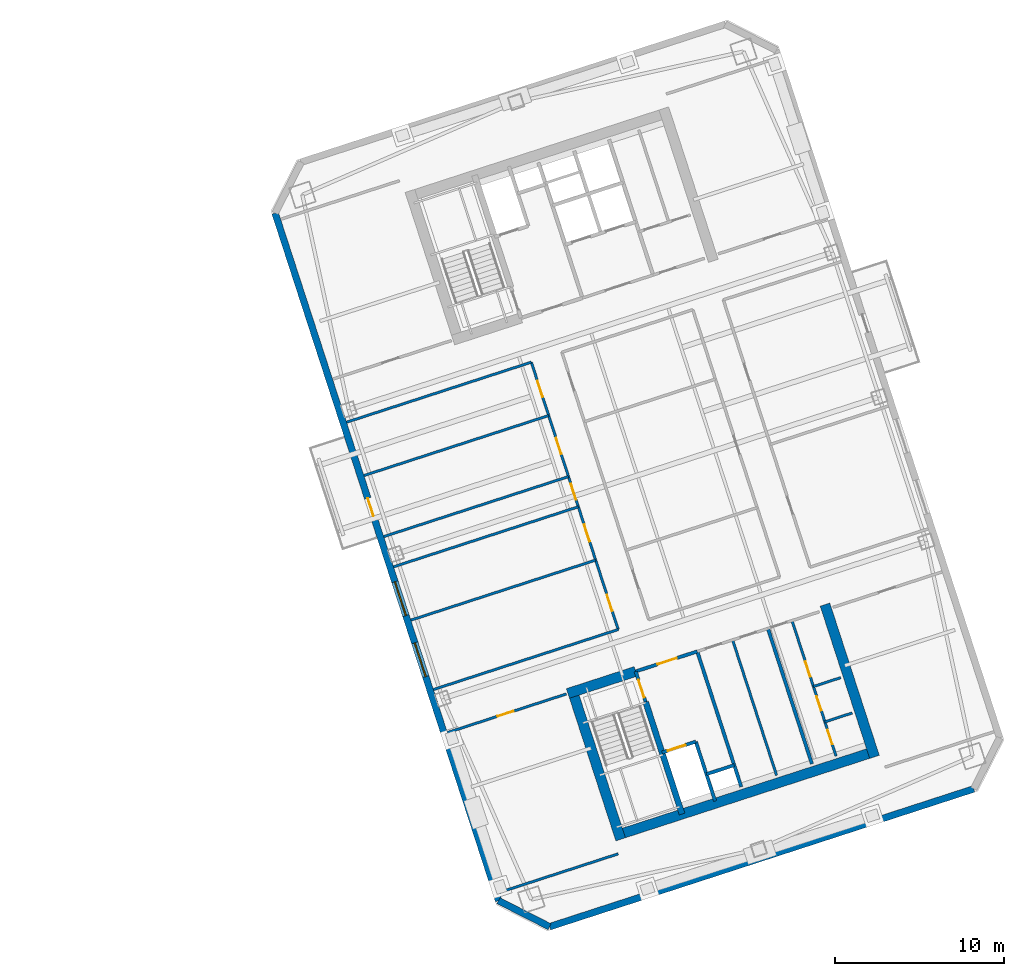
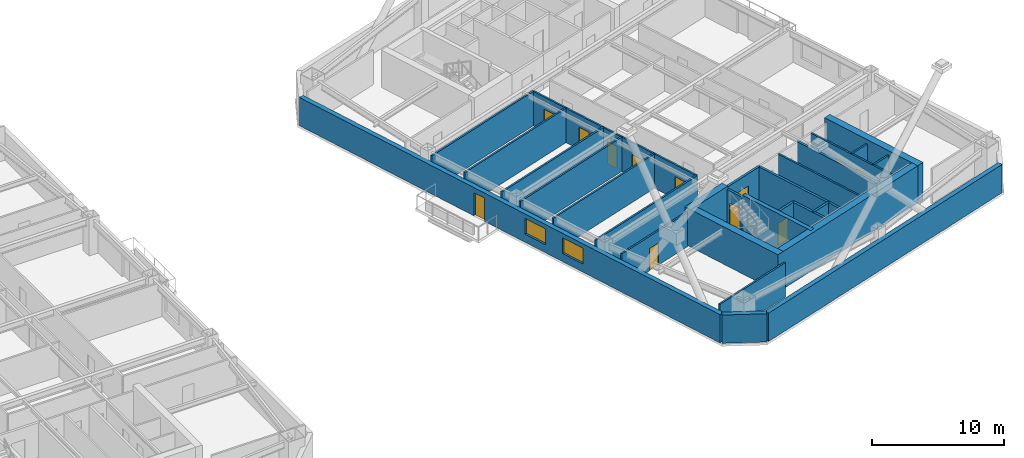
# One storey, part 9 of 17: 28 walls, 13 doors, 2 windows, 15 openings.
"""IFC4 building model written with IfcOpenShell, lengths in metres."""

from ifc_helpers import new_model, si_unit, direction, frame, frame_2d, origin, place, context, subcontext, project, spatial, rectangle, extrude, material, layer, layer_set, type_object, element, fill, save


model = new_model("IFC4")

# Units and contexts
model_context = context("Model", 3, precision=1e-05, world=origin(), true_north=direction((0.0, 1.0)))
body_context = subcontext(model_context, "Body", "Model", "MODEL_VIEW")
ifc_project = project(units=[si_unit("LENGTHUNIT", "METRE"), si_unit("AREAUNIT", "SQUARE_METRE"), si_unit("VOLUMEUNIT", "CUBIC_METRE"), si_unit("PLANEANGLEUNIT", "RADIAN"), si_unit("MASSUNIT", "GRAM", prefix="KILO")], contexts=[model_context])

# Site, building, storey
site_placement = place(None, origin())
site = spatial("IfcSite", under=ifc_project, at=site_placement, CompositionType="ELEMENT")
building_placement = place(site_placement, origin())
building = spatial("IfcBuilding", under=site, at=building_placement, Name="Qiaolan Cultural Towers", CompositionType="ELEMENT")
storey_placement = place(building_placement, frame((0.0, 0.0, 177.10009765625)))
storey = spatial("IfcBuildingStorey", under=building, at=storey_placement, Name="L47", CompositionType="ELEMENT", Elevation=177.10009765625)

# Walls
ifc_material_1 = material(Name="Concrete C50", Category="concrete")
ifc_layer_1 = layer(ifc_material_1, 0.35009765625)
ifc_layer_set_1 = layer_set([ifc_layer_1], Name="Concrete C50")
wall_type_1 = type_object("IfcWallType", Name="WL-CORE-350", PredefinedType="SHEAR", material=ifc_layer_set_1)
wall_1_placement = place(storey_placement, frame((90.486328125, 20.59423828125, 0.0), z_axis=(0.0, 0.0, 1.0), x_axis=(0.309020428229, -0.951055400562, 0.0)))
element("IfcWall", 1, at=wall_1_placement, inside=storey, type_object=wall_type_1, Name="L47 T2-CS Stair Core Dividing Web", PredefinedType="SHEAR", context=body_context, shape_type="SweptSolid", body=[
    extrude(rectangle(XDim=6.97998046875, YDim=0.35009765625, at=frame_2d((3.489990234375, 0.0))), origin(), (0.0, 0.0, 1.0), 3.449951171875),
])
ifc_material_2 = material(Name="Concrete C55", Category="concrete")
ifc_layer_2 = layer(ifc_material_2, 0.60009765625)
ifc_layer_set_2 = layer_set([ifc_layer_2], Name="Concrete C55")
wall_type_2 = type_object("IfcWallType", Name="WL-CORE-600", PredefinedType="SHEAR", material=ifc_layer_set_2)
wall_2_placement = place(storey_placement, frame((88.6298828125, 12.65185546875, 0.0), z_axis=(0.0, 0.0, 1.0), x_axis=(0.95105714907, 0.309015046886, 0.0)))
element("IfcWall", 2, at=wall_2_placement, inside=storey, type_object=wall_type_2, Name="L47 T2-CS Outer Core Shear Wall", PredefinedType="SHEAR", context=body_context, shape_type="SweptSolid", body=[
    extrude(rectangle(XDim=16.400146484375, YDim=0.60009765625, at=frame_2d((8.2001953125, 0.0))), origin(), (0.0, 0.0, 1.0), 3.449951171875),
])
wall_3_placement = place(storey_placement, frame((86.078369140625, 21.47509765625, 0.0), z_axis=(0.0, 0.0, 1.0), x_axis=(0.309017938678, -0.951056209472, 0.0)))
element("IfcWall", 3, at=wall_3_placement, inside=storey, type_object=wall_type_2, Name="L47 T2-CS West Core Shear Wall", PredefinedType="SHEAR", context=body_context, shape_type="SweptSolid", body=[
    extrude(rectangle(XDim=9.479736328125, YDim=0.60009765625, at=frame_2d((4.73974609375, 0.0))), origin(), (0.0, 0.0, 1.0), 3.449951171875),
])
wall_4_placement = place(storey_placement, frame((101.105224609375, 26.357666015625, 0.0), z_axis=(0.0, 0.0, 1.0), x_axis=(0.309010370028, -0.95105866865, 0.0)))
element("IfcWall", 4, at=wall_4_placement, inside=storey, type_object=wall_type_2, Name="L47 T2-CS East Core Shear Wall", PredefinedType="SHEAR", context=body_context, shape_type="SweptSolid", body=[
    extrude(rectangle(XDim=9.47998046875, YDim=0.60009765625, at=frame_2d((4.739990234375, 0.0))), origin(), (0.0, 0.0, 1.0), 3.449951171875),
])
wall_5_placement = place(storey_placement, frame((85.8857421875, 21.09716796875, 0.0), z_axis=(0.0, 0.0, 1.0), x_axis=(0.951068073652, 0.308981422225, 0.0)))
element("IfcWall", 5, at=wall_5_placement, inside=storey, type_object=wall_type_2, Name="L47 T2-CS Stair Front Shear Wall", PredefinedType="SHEAR", context=body_context, shape_type="SweptSolid", body=[
    extrude(rectangle(XDim=4.22021484375, YDim=0.60009765625, at=frame_2d((2.110107421875, 0.0))), origin(), (0.0, 0.0, 1.0), 3.449951171875),
])

# Wall, openings, door, windows
ifc_material_3 = material(Name="Precast Concrete C50 Honed Stone Pier", Category="masonry")
ifc_layer_3 = layer(ifc_material_3, 0.39990234375)
ifc_layer_set_3 = layer_set([ifc_layer_3], Name="Precast Concrete C50 Honed Stone Pier")
wall_type_3 = type_object("IfcWallType", Name="WL-EXT-PIER-400", PredefinedType="SOLIDWALL", material=ifc_layer_set_3)
wall_6_placement = place(storey_placement, frame((81.7763671875, 8.82666015625, 0.0), z_axis=(0.0, 0.0, 1.0), x_axis=(-0.309014228706, 0.951057414911, 0.0)))
wall_6 = element("IfcWall", 6, at=wall_6_placement, inside=storey, type_object=wall_type_3, Name="L47 East Tower Precast Pier Facade Wall F1", PredefinedType="SOLIDWALL", context=body_context, shape_type="SweptSolid", body=[
    extrude(rectangle(XDim=42.800048828125, YDim=0.39990234375, at=frame_2d((21.39990234375, 0.0))), origin(), (0.0, 0.0, 1.0), 2.60986328125),
])
opening_1_placement = place(wall_6_placement, frame((13.949951171875, 0.0, 0.75)))
opening_1 = element("IfcOpeningElement", 7, at=opening_1_placement, cuts=wall_6, Name="Opening W-05", PredefinedType="OPENING", context=body_context, shape_type="SweptSolid", body=[
    extrude(rectangle(XDim=2.10009765625, YDim=1.4599609375, at=frame_2d((1.050048828125, 0.72998046875))), frame((0.0, 0.2099609375, 0.0), z_axis=(0.0, -1.0, 0.0), x_axis=(1.0, 0.0, 0.0)), (0.0, 0.0, 1.0), 0.419921875),
])
opening_2_placement = place(wall_6_placement, frame((17.75, 0.0, 0.75)))
opening_2 = element("IfcOpeningElement", 8, at=opening_2_placement, cuts=wall_6, Name="Opening W-05", PredefinedType="OPENING", context=body_context, shape_type="SweptSolid", body=[
    extrude(rectangle(XDim=2.10009765625, YDim=1.4599609375, at=frame_2d((1.050048828125, 0.72998046875))), frame((0.0, 0.2099609375, 0.0), z_axis=(0.0, -1.0, 0.0), x_axis=(1.0, 0.0, 0.0)), (0.0, 0.0, 1.0), 0.419921875),
])
opening_3_placement = place(wall_6_placement, frame((23.949951171875, 0.0, 0.0)))
opening_3 = element("IfcOpeningElement", 9, at=opening_3_placement, cuts=wall_6, Name="Opening BD-01", PredefinedType="OPENING", context=body_context, shape_type="SweptSolid", body=[
    extrude(rectangle(XDim=1.10009765625, YDim=2.14990234375, at=frame_2d((0.550048828125, 1.074951171875))), frame((0.0, 0.2099609375, 0.0), z_axis=(0.0, -1.0, 0.0), x_axis=(1.0, 0.0, 0.0)), (0.0, 0.0, 1.0), 0.419921875),
])
ifc_material_4 = material(Name="Thermally Broken Aluminium Glazed Terrace Door", Category="aluminium")
door_type_1 = type_object("IfcDoorType", Name="DR-BAL-1100", OperationType="NOTDEFINED", PredefinedType="DOOR", material=ifc_material_4)
door_1_placement = place(opening_3_placement, origin())
door_1 = element("IfcDoor", 10, at=door_1_placement, inside=storey, type_object=door_type_1, Name="L47 T2 West Tree Balcony Door", OperationType="SINGLE_SWING_LEFT", OverallHeight=2.14990234375, OverallWidth=1.10009765625, PredefinedType="DOOR", context=body_context, shape_type="SweptSolid", body=[
    extrude(rectangle(XDim=1.10009765625, YDim=2.14990234375, at=frame_2d((0.550048828125, 1.074951171875))), frame((0.0, 0.02490234375, 0.0), z_axis=(0.0, -1.0, 0.0), x_axis=(1.0, 0.0, 0.0)), (0.0, 0.0, 1.0), 0.050048828125),
])
fill(opening_3, door_1)
ifc_material_5 = material(Name="Thermally Broken Aluminium Triple Low-E Glazing", Category="aluminium")
window_type = type_object("IfcWindowType", Name="WN-CHIC-2100", PartitioningType="SINGLE_PANEL", PredefinedType="WINDOW", material=ifc_material_5)
window_1_placement = place(opening_1_placement, origin())
window_1 = element("IfcWindow", 11, at=window_1_placement, inside=storey, type_object=window_type, Name="L47 T2 W Chicago Bay Window 1", OverallHeight=1.4599609375, OverallWidth=2.10009765625, PartitioningType="TRIPLE_PANEL_VERTICAL", PredefinedType="WINDOW", context=body_context, shape_type="SweptSolid", body=[
    extrude(rectangle(XDim=2.10009765625, YDim=1.4599609375, at=frame_2d((1.050048828125, 0.72998046875))), frame((0.0, 0.030029296875, 0.0), z_axis=(0.0, -1.0, 0.0), x_axis=(1.0, 0.0, 0.0)), (0.0, 0.0, 1.0), 0.06005859375),
])
fill(opening_1, window_1)
window_2_placement = place(opening_2_placement, origin())
window_2 = element("IfcWindow", 12, at=window_2_placement, inside=storey, type_object=window_type, Name="L47 T2 W Chicago Bay Window 2", OverallHeight=1.4599609375, OverallWidth=2.10009765625, PartitioningType="TRIPLE_PANEL_VERTICAL", PredefinedType="WINDOW", context=body_context, shape_type="SweptSolid", body=[
    extrude(rectangle(XDim=2.10009765625, YDim=1.4599609375, at=frame_2d((1.050048828125, 0.72998046875))), frame((0.0, 0.030029296875, 0.0), z_axis=(0.0, -1.0, 0.0), x_axis=(1.0, 0.0, 0.0)), (0.0, 0.0, 1.0), 0.06005859375),
])
fill(opening_2, window_2)

# Walls
wall_7_placement = place(storey_placement, frame((109.908447265625, 15.44384765625, 0.0), z_axis=(0.0, 0.0, 1.0), x_axis=(-0.951057580055, -0.30901372044, 0.0)))
element("IfcWall", 13, at=wall_7_placement, inside=storey, type_object=wall_type_3, Name="L47 East Tower Precast Pier Facade Wall F7", PredefinedType="SOLIDWALL", context=body_context, shape_type="SweptSolid", body=[
    extrude(rectangle(XDim=26.39990234375, YDim=0.39990234375, at=frame_2d((13.199951171875, 0.0))), origin(), (0.0, 0.0, 1.0), 2.60986328125),
])
wall_8_placement = place(storey_placement, frame((84.800537109375, 7.285888671875, 0.0), z_axis=(0.0, 0.0, 1.0), x_axis=(-0.891020832027, 0.453962417932, 0.0)))
element("IfcWall", 14, at=wall_8_placement, inside=storey, type_object=wall_type_3, Name="L47 East Tower Precast Pier Facade Wall F8", PredefinedType="SOLIDWALL", context=body_context, shape_type="SweptSolid", body=[
    extrude(rectangle(XDim=3.39404296875, YDim=0.39990234375, at=frame_2d((1.697021484375, 0.0))), origin(), (0.0, 0.0, 1.0), 2.60986328125),
])

# Wall, opening, door
ifc_material_6 = material(Name="Concrete C35 Fire Wall", Category="concrete")
ifc_layer_4 = layer(ifc_material_6, 0.199951171875)
ifc_layer_set_4 = layer_set([ifc_layer_4], Name="Concrete C35 Fire Wall")
wall_type_4 = type_object("IfcWallType", Name="WL-FIRE-200", PredefinedType="PARTITIONING", material=ifc_layer_set_4)
wall_9_placement = place(storey_placement, frame((89.8994140625, 22.401123046875, 0.0), z_axis=(0.0, 0.0, 1.0), x_axis=(0.308932062672, -0.951084108086, 0.0)))
wall_9 = element("IfcWall", 15, at=wall_9_placement, inside=storey, type_object=wall_type_4, Name="L47 T2-CS Smokeproof Stair Entry Wall", PredefinedType="PARTITIONING", context=body_context, shape_type="SweptSolid", body=[
    extrude(rectangle(XDim=1.89990234375, YDim=0.199951171875, at=frame_2d((0.949951171875, 0.0))), origin(), (0.0, 0.0, 1.0), 3.1748046875),
])
opening_4_placement = place(wall_9_placement, frame((0.52001953125, 0.0, 0.0)))
opening_4 = element("IfcOpeningElement", 16, at=opening_4_placement, cuts=wall_9, Name="Opening FD-04", PredefinedType="OPENING", context=body_context, shape_type="SweptSolid", body=[
    extrude(rectangle(XDim=1.10009765625, YDim=2.050048828125, at=frame_2d((0.550048828125, 1.02490234375))), frame((0.0, 0.10986328125, 0.0), z_axis=(0.0, -1.0, 0.0), x_axis=(1.0, 0.0, 0.0)), (0.0, 0.0, 1.0), 0.219970703125),
])
ifc_material_7 = material(Name="Galvanized Steel Command Fire Door", Category="steel")
door_type_2 = type_object("IfcDoorType", Name="DR-FD90-1100", OperationType="NOTDEFINED", PredefinedType="DOOR", material=ifc_material_7)
door_2_placement = place(opening_4_placement, origin())
door_2 = element("IfcDoor", 17, at=door_2_placement, inside=storey, type_object=door_type_2, Name="L47 ST-E1 Smokeproof Stair Fire Door", OperationType="SINGLE_SWING_LEFT", OverallHeight=2.050048828125, OverallWidth=1.10009765625, PredefinedType="DOOR", context=body_context, shape_type="SweptSolid", body=[
    extrude(rectangle(XDim=1.10009765625, YDim=2.050048828125, at=frame_2d((0.550048828125, 1.02490234375))), frame((0.0, 0.02490234375, 0.0), z_axis=(0.0, -1.0, 0.0), x_axis=(1.0, 0.0, 0.0)), (0.0, 0.0, 1.0), 0.050048828125),
])
fill(opening_4, door_2)

# Wall
wall_10_placement = place(storey_placement, frame((93.541748046875, 23.584716796875, 0.0), z_axis=(0.0, 0.0, 1.0), x_axis=(0.309042196757, -0.951048327176, 0.0)))
element("IfcWall", 18, at=wall_10_placement, inside=storey, type_object=wall_type_4, Name="L47 T2-CS Firefighting Zone Wall", PredefinedType="PARTITIONING", context=body_context, shape_type="SweptSolid", body=[
    extrude(rectangle(XDim=8.429931640625, YDim=0.199951171875, at=frame_2d((4.21484375, 0.0))), origin(), (0.0, 0.0, 1.0), 3.1748046875),
])

# Wall, opening, door
wall_11_placement = place(storey_placement, frame((89.8994140625, 22.401123046875, 0.0), z_axis=(0.0, 0.0, 1.0), x_axis=(0.951046716504, 0.309047153403, 0.0)))
wall_11 = element("IfcWall", 19, at=wall_11_placement, inside=storey, type_object=wall_type_4, Name="L47 T2-CS Firefighting Lobby Front Wall", PredefinedType="PARTITIONING", context=body_context, shape_type="SweptSolid", body=[
    extrude(rectangle(XDim=3.829833984375, YDim=0.199951171875, at=frame_2d((1.9150390625, 0.0))), origin(), (0.0, 0.0, 1.0), 3.1748046875),
])
opening_5_placement = place(wall_11_placement, frame((1.35009765625, 0.0, 0.0)))
opening_5 = element("IfcOpeningElement", 20, at=opening_5_placement, cuts=wall_11, Name="Opening FD-03", PredefinedType="OPENING", context=body_context, shape_type="SweptSolid", body=[
    extrude(rectangle(XDim=1.199951171875, YDim=2.050048828125, at=frame_2d((0.60009765625, 1.02490234375))), frame((0.0, 0.10986328125, 0.0), z_axis=(0.0, -1.0, 0.0), x_axis=(1.0, 0.0, 0.0)), (0.0, 0.0, 1.0), 0.219970703125),
])
ifc_material_8 = material(Name="Galvanized Steel Smokeproof Lobby Fire Door", Category="steel")
door_type_3 = type_object("IfcDoorType", Name="DR-FD90-1200", OperationType="NOTDEFINED", PredefinedType="DOOR", material=ifc_material_8)
door_3_placement = place(opening_5_placement, origin())
door_3 = element("IfcDoor", 21, at=door_3_placement, inside=storey, type_object=door_type_3, Name="L47 FFL-E1 Firefighting Lobby Fire Door", OperationType="SINGLE_SWING_LEFT", OverallHeight=2.050048828125, OverallWidth=1.199951171875, PredefinedType="DOOR", context=body_context, shape_type="SweptSolid", body=[
    extrude(rectangle(XDim=1.199951171875, YDim=2.050048828125, at=frame_2d((0.60009765625, 1.02490234375))), frame((0.0, 0.02490234375, 0.0), z_axis=(0.0, -1.0, 0.0), x_axis=(1.0, 0.0, 0.0)), (0.0, 0.0, 1.0), 0.050048828125),
])
fill(opening_5, door_3)

wall_12_placement = place(storey_placement, frame((91.459716796875, 17.598388671875, 0.0), z_axis=(0.0, 0.0, 1.0), x_axis=(0.951062257173, 0.308999325213, 0.0)))
wall_12 = element("IfcWall", 22, at=wall_12_placement, inside=storey, type_object=wall_type_4, Name="L47 T2-CS Firefighting Shaft Front Wall", PredefinedType="PARTITIONING", context=body_context, shape_type="SweptSolid", body=[
    extrude(rectangle(XDim=2.10009765625, YDim=0.199951171875, at=frame_2d((1.050048828125, 0.0))), origin(), (0.0, 0.0, 1.0), 3.1748046875),
])
opening_6_placement = place(wall_12_placement, frame((0.35009765625, 0.0, 0.0)))
opening_6 = element("IfcOpeningElement", 23, at=opening_6_placement, cuts=wall_12, Name="Opening LD-01", PredefinedType="OPENING", context=body_context, shape_type="SweptSolid", body=[
    extrude(rectangle(XDim=1.10009765625, YDim=2.050048828125, at=frame_2d((0.550048828125, 1.02490234375))), frame((0.0, 0.10986328125, 0.0), z_axis=(0.0, -1.0, 0.0), x_axis=(1.0, 0.0, 0.0)), (0.0, 0.0, 1.0), 0.219970703125),
])
ifc_material_9 = material(Name="Brushed Stainless Steel S30408 Centre-Parting Lift Landing Door", Category="steel")
door_type_4 = type_object("IfcDoorType", Name="DR-LIFT-1100", OperationType="NOTDEFINED", PredefinedType="DOOR", material=ifc_material_9)
door_4_placement = place(opening_6_placement, origin())
door_4 = element("IfcDoor", 24, at=door_4_placement, inside=storey, type_object=door_type_4, Name="L47 FFL-E1 Firefighting Lift Landing Door", OperationType="DOUBLE_DOOR_SLIDING", OverallHeight=2.050048828125, OverallWidth=1.10009765625, PredefinedType="DOOR", context=body_context, shape_type="SweptSolid", body=[
    extrude(rectangle(XDim=1.10009765625, YDim=2.050048828125, at=frame_2d((0.550048828125, 1.02490234375))), frame((0.0, 0.02490234375, 0.0), z_axis=(0.0, -1.0, 0.0), x_axis=(1.0, 0.0, 0.0)), (0.0, 0.0, 1.0), 0.050048828125),
])
fill(opening_6, door_4)

# Walls
wall_13_placement = place(storey_placement, frame((93.45703125, 18.247314453125, 0.0), z_axis=(0.0, 0.0, 1.0), x_axis=(0.3089935693, -0.951064127245, 0.0)))
element("IfcWall", 25, at=wall_13_placement, inside=storey, type_object=wall_type_4, Name="L47 T2-CS Firefighting Hoistway East Wall", PredefinedType="PARTITIONING", context=body_context, shape_type="SweptSolid", body=[
    extrude(rectangle(XDim=3.7001953125, YDim=0.199951171875, at=frame_2d((1.85009765625, 0.0))), origin(), (0.0, 0.0, 1.0), 3.1748046875),
])
wall_14_placement = place(storey_placement, frame((94.08447265625, 16.316650390625, 0.0), z_axis=(0.0, 0.0, 1.0), x_axis=(0.951041328149, 0.309063734775, 0.0)))
element("IfcWall", 26, at=wall_14_placement, inside=storey, type_object=wall_type_4, Name="L47 T2-CS Pressurization Shaft Front Wall", PredefinedType="PARTITIONING", context=body_context, shape_type="SweptSolid", body=[
    extrude(rectangle(XDim=1.72998046875, YDim=0.199951171875, at=frame_2d((0.864990234375, 0.0))), origin(), (0.0, 0.0, 1.0), 3.1748046875),
])
wall_15_placement = place(storey_placement, frame((97.7265625, 24.9443359375, 0.0), z_axis=(0.0, 0.0, 1.0), x_axis=(0.309016001439, -0.951056838919, 0.0)))
element("IfcWall", 27, at=wall_15_placement, inside=storey, type_object=wall_type_4, Name="L47 T2-CS Lift Core East Wall", PredefinedType="PARTITIONING", context=body_context, shape_type="SweptSolid", body=[
    extrude(rectangle(XDim=8.429931640625, YDim=0.199951171875, at=frame_2d((4.21484375, 0.0))), origin(), (0.0, 0.0, 1.0), 3.1748046875),
])
ifc_material_10 = material(Name="Autoclaved Aerated Concrete Block B06", Category="concrete")
ifc_layer_5 = layer(ifc_material_10, 0.14990234375)
ifc_layer_set_5 = layer_set([ifc_layer_5], Name="Autoclaved Aerated Concrete Block B06")
wall_type_5 = type_object("IfcWallType", Name="WL-PART-150", PredefinedType="PARTITIONING", material=ifc_layer_set_5)
wall_16_placement = place(storey_placement, frame((95.63427734375, 24.2646484375, 0.0), z_axis=(0.0, 0.0, 1.0), x_axis=(0.309007490203, -0.951059604335, 0.0)))
element("IfcWall", 28, at=wall_16_placement, inside=storey, type_object=wall_type_5, Name="L47 T2-CS Reclaimed Twin Room Wall", PredefinedType="PARTITIONING", context=body_context, shape_type="SweptSolid", body=[
    extrude(rectangle(XDim=8.43017578125, YDim=0.14990234375, at=frame_2d((4.215087890625, 0.0))), origin(), (0.0, 0.0, 1.0), 3.1748046875),
])

# Wall, openings, doors
wall_17_placement = place(storey_placement, frame((99.153076171875, 25.407958984375, 0.0), z_axis=(0.0, 0.0, 1.0), x_axis=(0.309016001439, -0.951056838919, 0.0)))
wall_17 = element("IfcWall", 29, at=wall_17_placement, inside=storey, type_object=wall_type_5, Name="L47 T2-CS Sanitary Vestibule Wall", PredefinedType="PARTITIONING", context=body_context, shape_type="SweptSolid", body=[
    extrude(rectangle(XDim=8.429931640625, YDim=0.14990234375, at=frame_2d((4.21484375, 0.0))), origin(), (0.0, 0.0, 1.0), 3.1748046875),
])
opening_7_placement = place(wall_17_placement, frame((2.550048828125, 0.0, 0.0)))
opening_7 = element("IfcOpeningElement", 30, at=opening_7_placement, cuts=wall_17, Name="Opening ID-05", PredefinedType="OPENING", context=body_context, shape_type="SweptSolid", body=[
    extrude(rectangle(XDim=0.949951171875, YDim=2.050048828125, at=frame_2d((0.47509765625, 1.02490234375))), frame((0.0, 0.0849609375, 0.0), z_axis=(0.0, -1.0, 0.0), x_axis=(1.0, 0.0, 0.0)), (0.0, 0.0, 1.0), 0.169921875),
])
opening_8_placement = place(wall_17_placement, frame((4.699951171875, 0.0, 0.0)))
opening_8 = element("IfcOpeningElement", 31, at=opening_8_placement, cuts=wall_17, Name="Opening ID-06", PredefinedType="OPENING", context=body_context, shape_type="SweptSolid", body=[
    extrude(rectangle(XDim=0.89990234375, YDim=2.050048828125, at=frame_2d((0.449951171875, 1.02490234375))), frame((0.0, 0.0849609375, 0.0), z_axis=(0.0, -1.0, 0.0), x_axis=(1.0, 0.0, 0.0)), (0.0, 0.0, 1.0), 0.169921875),
])
opening_9_placement = place(wall_17_placement, frame((6.800048828125, 0.0, 0.0)))
opening_9 = element("IfcOpeningElement", 32, at=opening_9_placement, cuts=wall_17, Name="Opening ID-06", PredefinedType="OPENING", context=body_context, shape_type="SweptSolid", body=[
    extrude(rectangle(XDim=0.89990234375, YDim=2.050048828125, at=frame_2d((0.449951171875, 1.02490234375))), frame((0.0, 0.0849609375, 0.0), z_axis=(0.0, -1.0, 0.0), x_axis=(1.0, 0.0, 0.0)), (0.0, 0.0, 1.0), 0.169921875),
])
ifc_material_11 = material(Name="Fire-Rated Laminate Core Service Door", Category="timber")
door_type_5 = type_object("IfcDoorType", Name="DR-INT-900", OperationType="NOTDEFINED", PredefinedType="DOOR", material=ifc_material_11)
door_5_placement = place(opening_8_placement, origin())
door_5 = element("IfcDoor", 33, at=door_5_placement, inside=storey, type_object=door_type_5, Name="L47 Men Washroom Door", OperationType="SINGLE_SWING_LEFT", OverallHeight=2.050048828125, OverallWidth=0.89990234375, PredefinedType="DOOR", context=body_context, shape_type="SweptSolid", body=[
    extrude(rectangle(XDim=0.89990234375, YDim=2.050048828125, at=frame_2d((0.449951171875, 1.02490234375))), frame((0.0, 0.02490234375, 0.0), z_axis=(0.0, -1.0, 0.0), x_axis=(1.0, 0.0, 0.0)), (0.0, 0.0, 1.0), 0.050048828125),
])
fill(opening_8, door_5)
door_6_placement = place(opening_9_placement, origin())
door_6 = element("IfcDoor", 34, at=door_6_placement, inside=storey, type_object=door_type_5, Name="L47 Women Washroom Door", OperationType="SINGLE_SWING_RIGHT", OverallHeight=2.050048828125, OverallWidth=0.89990234375, PredefinedType="DOOR", context=body_context, shape_type="SweptSolid", body=[
    extrude(rectangle(XDim=0.89990234375, YDim=2.050048828125, at=frame_2d((0.449951171875, 1.02490234375))), frame((0.0, 0.02490234375, 0.0), z_axis=(0.0, -1.0, 0.0), x_axis=(1.0, 0.0, 0.0)), (0.0, 0.0, 1.0), 0.050048828125),
])
fill(opening_9, door_6)
ifc_material_12 = material(Name="Fire-Rated Laminate Accessible Core Door", Category="timber")
door_type_6 = type_object("IfcDoorType", Name="DR-INT-950", OperationType="NOTDEFINED", PredefinedType="DOOR", material=ifc_material_12)
door_7_placement = place(opening_7_placement, origin())
door_7 = element("IfcDoor", 35, at=door_7_placement, inside=storey, type_object=door_type_6, Name="L47 Accessible Family Washroom Door", OperationType="SINGLE_SWING_LEFT", OverallHeight=2.050048828125, OverallWidth=0.949951171875, PredefinedType="DOOR", context=body_context, shape_type="SweptSolid", body=[
    extrude(rectangle(XDim=0.949951171875, YDim=2.050048828125, at=frame_2d((0.47509765625, 1.02490234375))), frame((0.0, 0.02490234375, 0.0), z_axis=(0.0, -1.0, 0.0), x_axis=(1.0, 0.0, 0.0)), (0.0, 0.0, 1.0), 0.050048828125),
])
fill(opening_7, door_7)

# Walls
wall_18_placement = place(storey_placement, frame((100.420166015625, 21.508544921875, 0.0), z_axis=(0.0, 0.0, 1.0), x_axis=(0.951040401051, 0.309066587596, 0.0)))
element("IfcWall", 36, at=wall_18_placement, inside=storey, type_object=wall_type_5, Name="L47 T2-CS Restroom Split Wall 1", PredefinedType="PARTITIONING", context=body_context, shape_type="SweptSolid", body=[
    extrude(rectangle(XDim=1.699951171875, YDim=0.14990234375, at=frame_2d((0.85009765625, 0.0))), origin(), (0.0, 0.0, 1.0), 3.1748046875),
])
wall_19_placement = place(storey_placement, frame((101.099853515625, 19.416259765625, 0.0), z_axis=(0.0, 0.0, 1.0), x_axis=(0.951054116971, 0.309024378638, 0.0)))
element("IfcWall", 37, at=wall_19_placement, inside=storey, type_object=wall_type_5, Name="L47 T2-CS Restroom Split Wall 2", PredefinedType="PARTITIONING", context=body_context, shape_type="SweptSolid", body=[
    extrude(rectangle(XDim=1.7001953125, YDim=0.14990234375, at=frame_2d((0.85009765625, 0.0))), origin(), (0.0, 0.0, 1.0), 3.1748046875),
])
wall_20_placement = place(storey_placement, frame((81.82763671875, 9.31640625, 0.0), z_axis=(0.0, 0.0, 1.0), x_axis=(0.95105128112, 0.309033106124, 0.0)))
element("IfcWall", 38, at=wall_20_placement, inside=storey, type_object=wall_type_5, Name="L47 T2 Flank Wall FLK-SW", PredefinedType="PARTITIONING", context=body_context, shape_type="SweptSolid", body=[
    extrude(rectangle(XDim=7.400146484375, YDim=0.14990234375, at=frame_2d((3.7001953125, 0.0))), origin(), (0.0, 0.0, 1.0), 3.1748046875),
])

# Wall, opening, door
wall_21_placement = place(storey_placement, frame((78.7529296875, 18.779541015625, 0.0), z_axis=(0.0, 0.0, 1.0), x_axis=(0.951060977215, 0.309003264738, 0.0)))
wall_21 = element("IfcWall", 39, at=wall_21_placement, inside=storey, type_object=wall_type_5, Name="L47 T2 Flank Front FLK-SW", PredefinedType="PARTITIONING", context=body_context, shape_type="SweptSolid", body=[
    extrude(rectangle(XDim=7.39990234375, YDim=0.14990234375, at=frame_2d((3.699951171875, 0.0))), origin(), (0.0, 0.0, 1.0), 3.1748046875),
])
opening_10_placement = place(wall_21_placement, frame((3.10791015625, 0.0, 0.0)))
opening_10 = element("IfcOpeningElement", 40, at=opening_10_placement, cuts=wall_21, Name="Opening ID-04", PredefinedType="OPENING", context=body_context, shape_type="SweptSolid", body=[
    extrude(rectangle(XDim=1.0, YDim=2.050048828125, at=frame_2d((0.5, 1.02490234375))), frame((0.0, 0.0849609375, 0.0), z_axis=(0.0, -1.0, 0.0), x_axis=(1.0, 0.0, 0.0)), (0.0, 0.0, 1.0), 0.169921875),
])
ifc_material_13 = material(Name="Oak Veneer Acoustic Office Door", Category="timber")
door_type_7 = type_object("IfcDoorType", Name="DR-INT-1000", OperationType="NOTDEFINED", PredefinedType="DOOR", material=ifc_material_13)
door_8_placement = place(opening_10_placement, origin())
door_8 = element("IfcDoor", 41, at=door_8_placement, inside=storey, type_object=door_type_7, Name="L47 T2 Corner Studio Door", OperationType="SINGLE_SWING_LEFT", OverallHeight=2.050048828125, OverallWidth=1.0, PredefinedType="DOOR", context=body_context, shape_type="SweptSolid", body=[
    extrude(rectangle(XDim=1.0, YDim=2.050048828125, at=frame_2d((0.5, 1.02490234375))), frame((0.0, 0.02490234375, 0.0), z_axis=(0.0, -1.0, 0.0), x_axis=(1.0, 0.0, 0.0)), (0.0, 0.0, 1.0), 0.050048828125),
])
fill(opening_10, door_8)

# Walls
wall_22_placement = place(storey_placement, frame((77.9248046875, 21.328369140625, 0.0), z_axis=(0.0, 0.0, 1.0), x_axis=(0.951054972381, 0.309021746015, 0.0)))
element("IfcWall", 42, at=wall_22_placement, inside=storey, type_object=wall_type_5, Name="L47 T2 Interior Wall", PredefinedType="PARTITIONING", context=body_context, shape_type="SweptSolid", body=[
    extrude(rectangle(XDim=11.499755859375, YDim=0.14990234375, at=frame_2d((5.75, 0.0))), origin(), (0.0, 0.0, 1.0), 3.1748046875),
])
wall_23_placement = place(storey_placement, frame((72.78271484375, 37.15380859375, 0.0), z_axis=(0.0, 0.0, 1.0), x_axis=(0.951056999652, 0.309015506751, 0.0)))
element("IfcWall", 43, at=wall_23_placement, inside=storey, type_object=wall_type_5, Name="L47 T2 Interior Wall", PredefinedType="PARTITIONING", context=body_context, shape_type="SweptSolid", body=[
    extrude(rectangle(XDim=11.5, YDim=0.14990234375, at=frame_2d((5.75, 0.0))), origin(), (0.0, 0.0, 1.0), 3.1748046875),
])

# Wall, openings, doors
wall_24_placement = place(storey_placement, frame((88.86181640625, 24.882080078125, 0.0), z_axis=(0.0, 0.0, 1.0), x_axis=(-0.309008771245, 0.951059188113, 0.0)))
wall_24 = element("IfcWall", 44, at=wall_24_placement, inside=storey, type_object=wall_type_5, Name="L47 T2 Interior Wall", PredefinedType="PARTITIONING", context=body_context, shape_type="SweptSolid", body=[
    extrude(rectangle(XDim=16.639892578125, YDim=0.14990234375, at=frame_2d((8.31982421875, 0.0))), origin(), (0.0, 0.0, 1.0), 3.1748046875),
])
opening_11_placement = place(wall_24_placement, frame((1.159912109375, 0.0, 0.0)))
opening_11 = element("IfcOpeningElement", 45, at=opening_11_placement, cuts=wall_24, Name="Opening ID-04", PredefinedType="OPENING", context=body_context, shape_type="SweptSolid", body=[
    extrude(rectangle(XDim=1.0, YDim=2.050048828125, at=frame_2d((0.5, 1.02490234375))), frame((0.0, 0.0849609375, 0.0), z_axis=(0.0, -1.0, 0.0), x_axis=(1.0, 0.0, 0.0)), (0.0, 0.0, 1.0), 0.169921875),
])
opening_12_placement = place(wall_24_placement, frame((5.47998046875, 0.0, 0.0)))
opening_12 = element("IfcOpeningElement", 46, at=opening_12_placement, cuts=wall_24, Name="Opening ID-07", PredefinedType="OPENING", context=body_context, shape_type="SweptSolid", body=[
    extrude(rectangle(XDim=1.050048828125, YDim=2.050048828125, at=frame_2d((0.52490234375, 1.02490234375))), frame((0.0, 0.0849609375, 0.0), z_axis=(0.0, -1.0, 0.0), x_axis=(1.0, 0.0, 0.0)), (0.0, 0.0, 1.0), 0.169921875),
])
opening_13_placement = place(wall_24_placement, frame((8.080078125, 0.0, 0.0)))
opening_13 = element("IfcOpeningElement", 47, at=opening_13_placement, cuts=wall_24, Name="Opening ID-04", PredefinedType="OPENING", context=body_context, shape_type="SweptSolid", body=[
    extrude(rectangle(XDim=1.0, YDim=2.050048828125, at=frame_2d((0.5, 1.02490234375))), frame((0.0, 0.0849609375, 0.0), z_axis=(0.0, -1.0, 0.0), x_axis=(1.0, 0.0, 0.0)), (0.0, 0.0, 1.0), 0.169921875),
])
opening_14_placement = place(wall_24_placement, frame((10.919921875, 0.0, 0.0)))
opening_14 = element("IfcOpeningElement", 48, at=opening_14_placement, cuts=wall_24, Name="Opening ID-04", PredefinedType="OPENING", context=body_context, shape_type="SweptSolid", body=[
    extrude(rectangle(XDim=1.0, YDim=2.050048828125, at=frame_2d((0.5, 1.02490234375))), frame((0.0, 0.0849609375, 0.0), z_axis=(0.0, -1.0, 0.0), x_axis=(1.0, 0.0, 0.0)), (0.0, 0.0, 1.0), 0.169921875),
])
opening_15_placement = place(wall_24_placement, frame((14.47998046875, 0.0, 0.0)))
opening_15 = element("IfcOpeningElement", 49, at=opening_15_placement, cuts=wall_24, Name="Opening ID-04", PredefinedType="OPENING", context=body_context, shape_type="SweptSolid", body=[
    extrude(rectangle(XDim=1.0, YDim=2.050048828125, at=frame_2d((0.5, 1.02490234375))), frame((0.0, 0.0849609375, 0.0), z_axis=(0.0, -1.0, 0.0), x_axis=(1.0, 0.0, 0.0)), (0.0, 0.0, 1.0), 0.169921875),
])
door_9_placement = place(opening_11_placement, origin())
door_9 = element("IfcDoor", 50, at=door_9_placement, inside=storey, type_object=door_type_7, Name="L47 T2 Digital Media Gallery Door", OperationType="SINGLE_SWING_LEFT", OverallHeight=2.050048828125, OverallWidth=1.0, PredefinedType="DOOR", context=body_context, shape_type="SweptSolid", body=[
    extrude(rectangle(XDim=1.0, YDim=2.050048828125, at=frame_2d((0.5, 1.02490234375))), frame((0.0, 0.02490234375, 0.0), z_axis=(0.0, -1.0, 0.0), x_axis=(1.0, 0.0, 0.0)), (0.0, 0.0, 1.0), 0.050048828125),
])
fill(opening_11, door_9)
door_10_placement = place(opening_13_placement, origin())
door_10 = element("IfcDoor", 51, at=door_10_placement, inside=storey, type_object=door_type_7, Name="L47 T2 Sound Kitchenette Door", OperationType="SINGLE_SWING_RIGHT", OverallHeight=2.050048828125, OverallWidth=1.0, PredefinedType="DOOR", context=body_context, shape_type="SweptSolid", body=[
    extrude(rectangle(XDim=1.0, YDim=2.050048828125, at=frame_2d((0.5, 1.02490234375))), frame((0.0, 0.02490234375, 0.0), z_axis=(0.0, -1.0, 0.0), x_axis=(1.0, 0.0, 0.0)), (0.0, 0.0, 1.0), 0.050048828125),
])
fill(opening_13, door_10)
door_11_placement = place(opening_14_placement, origin())
door_11 = element("IfcDoor", 52, at=door_11_placement, inside=storey, type_object=door_type_7, Name="L47 T2 Media Lounge Door", OperationType="SINGLE_SWING_LEFT", OverallHeight=2.050048828125, OverallWidth=1.0, PredefinedType="DOOR", context=body_context, shape_type="SweptSolid", body=[
    extrude(rectangle(XDim=1.0, YDim=2.050048828125, at=frame_2d((0.5, 1.02490234375))), frame((0.0, 0.02490234375, 0.0), z_axis=(0.0, -1.0, 0.0), x_axis=(1.0, 0.0, 0.0)), (0.0, 0.0, 1.0), 0.050048828125),
])
fill(opening_14, door_11)
door_12_placement = place(opening_15_placement, origin())
door_12 = element("IfcDoor", 53, at=door_12_placement, inside=storey, type_object=door_type_7, Name="L47 T2 Media Bookshop Door", OperationType="SINGLE_SWING_RIGHT", OverallHeight=2.050048828125, OverallWidth=1.0, PredefinedType="DOOR", context=body_context, shape_type="SweptSolid", body=[
    extrude(rectangle(XDim=1.0, YDim=2.050048828125, at=frame_2d((0.5, 1.02490234375))), frame((0.0, 0.02490234375, 0.0), z_axis=(0.0, -1.0, 0.0), x_axis=(1.0, 0.0, 0.0)), (0.0, 0.0, 1.0), 0.050048828125),
])
fill(opening_15, door_12)
ifc_material_14 = material(Name="Oak Veneer Consultation Door", Category="timber")
door_type_8 = type_object("IfcDoorType", Name="DR-INT-1050", OperationType="NOTDEFINED", PredefinedType="DOOR", material=ifc_material_14)
door_13_placement = place(opening_12_placement, origin())
door_13 = element("IfcDoor", 54, at=door_13_placement, inside=storey, type_object=door_type_8, Name="L47 T2 Sound Kitchenette Door", OperationType="SINGLE_SWING_LEFT", OverallHeight=2.050048828125, OverallWidth=1.050048828125, PredefinedType="DOOR", context=body_context, shape_type="SweptSolid", body=[
    extrude(rectangle(XDim=1.050048828125, YDim=2.050048828125, at=frame_2d((0.52490234375, 1.02490234375))), frame((0.0, 0.02490234375, 0.0), z_axis=(0.0, -1.0, 0.0), x_axis=(1.0, 0.0, 0.0)), (0.0, 0.0, 1.0), 0.050048828125),
])
fill(opening_12, door_13)

# Walls
for number, where, z_axis, x_axis, name in (
    (55, (76.58984375, 25.43701171875, 0.0), (0.0, 0.0, 1.0), (0.951054972381, 0.309021746015, 0.0), "L47 T2 Interior Wall"),
    (56, (75.56396484375, 28.594482421875, 0.0), (0.0, 0.0, 1.0), (0.951054972381, 0.309021746015, 0.0), "L47 T2 Interior Wall"),
):
    element("IfcWall", number, at=place(storey_placement, frame(where, z_axis=z_axis, x_axis=x_axis)), inside=storey, type_object=wall_type_5, Name=name, PredefinedType="PARTITIONING", context=body_context, shape_type="SweptSolid", body=[
        extrude(rectangle(XDim=11.499755859375, YDim=0.14990234375, at=frame_2d((5.75, 0.0))), origin(), (0.0, 0.0, 1.0), 3.1748046875),
    ])
for number, where, z_axis, x_axis, name in (
    (57, (74.98291015625, 30.38232421875, 0.0), (0.0, 0.0, 1.0), (0.951056999652, 0.309015506751, 0.0), "L47 T2 Interior Wall"),
    (58, (73.80859375, 33.996337890625, 0.0), (0.0, 0.0, 1.0), (0.951056999652, 0.309015506751, 0.0), "L47 T2 Interior Wall"),
):
    element("IfcWall", number, at=place(storey_placement, frame(where, z_axis=z_axis, x_axis=x_axis)), inside=storey, type_object=wall_type_5, Name=name, PredefinedType="PARTITIONING", context=body_context, shape_type="SweptSolid", body=[
        extrude(rectangle(XDim=11.5, YDim=0.14990234375, at=frame_2d((5.75, 0.0))), origin(), (0.0, 0.0, 1.0), 3.1748046875),
    ])

save(model, "model.ifc")
